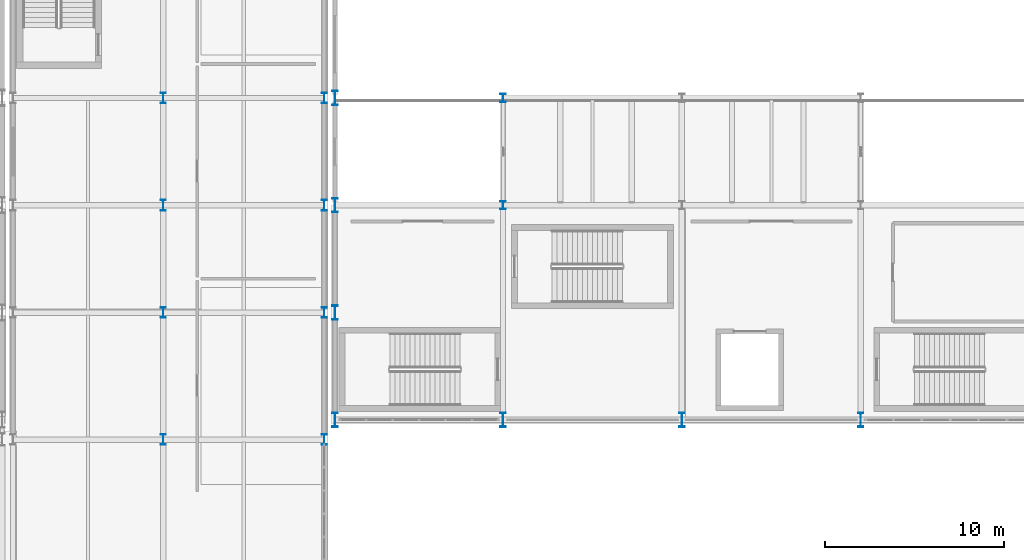
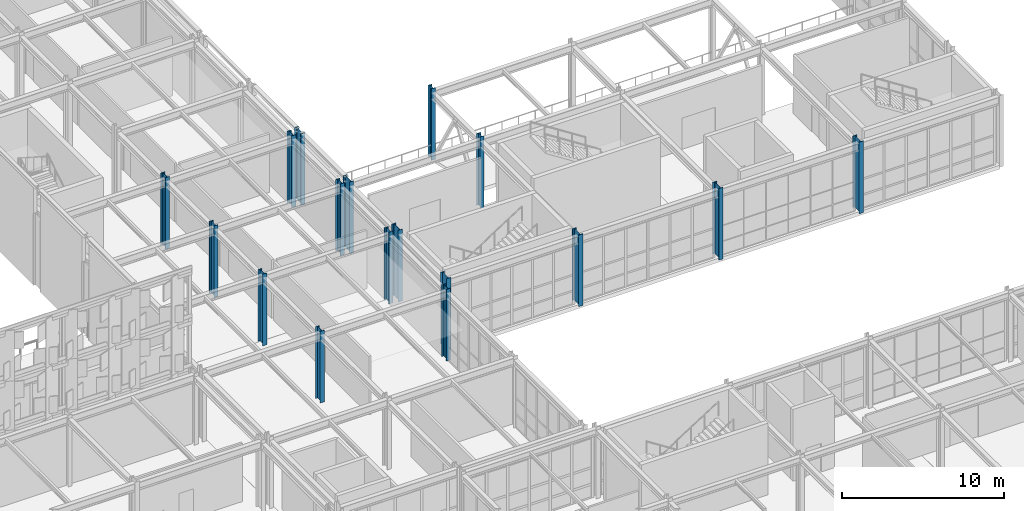
# One storey, part 15 of 210: 17 columns.
"""IFC4 building model written with IfcOpenShell, lengths in metres."""

import ifcopenshell
import ifcopenshell.guid

model = None  # the IFC model being written
_history = None  # IfcOwnerHistory: only IFC2X3 demands one
_inside = {}  # id of a spatial element -> (the spatial element, [elements in it])
_under = {}  # id of a project, library or spatial element -> (it, [spatial elements below it])
_declared = {}  # id of a project -> (the project, [libraries it declares])
_typed = {}  # id of a type object -> (the type object, [elements of that type])
_made_of = {}  # id of a material, layer set ... -> (it, [elements and type objects made of it])


def new_model(schema):
    """Start an empty IFC model of exactly this schema.

    Asked for "IFC4X3", IfcOpenShell would pick the latest addendum, in which some entities
    have other attributes; the version numbers below select the first issue.
    IFC2X3 requires an IfcOwnerHistory on every rooted entity: one is made here for all.
    """
    global model, _history
    if schema == "IFC4X3":
        model = ifcopenshell.file(schema_version=(4, 3, 0, 0))
    else:
        model = ifcopenshell.file(schema=schema)
    _inside.clear()
    _under.clear()
    _declared.clear()
    _typed.clear()
    _made_of.clear()
    _history = None
    if model.schema == "IFC2X3":
        org = make("IfcOrganization", Name="unknown")
        user = make(
            "IfcPersonAndOrganization",
            ThePerson=make("IfcPerson", FamilyName="unknown"),
            TheOrganization=org,
        )
        app = make(
            "IfcApplication",
            ApplicationDeveloper=org,
            Version="unknown",
            ApplicationFullName="unknown",
            ApplicationIdentifier="unknown",
        )
        _history = make(
            "IfcOwnerHistory",
            OwningUser=user,
            OwningApplication=app,
            ChangeAction="ADDED",
            CreationDate=0,
        )
    return model


def make(cls, **values):
    """One entity of the class cls with the attributes given. An attribute that is None is left unset."""
    return model.create_entity(
        cls, **{name: value for name, value in values.items() if value is not None}
    )


def rooted(cls, **values):
    """An entity with a GlobalId (a new one), such as an element, a storey or a relation."""
    return make(cls, GlobalId=ifcopenshell.guid.new(), OwnerHistory=_history, **values)


def si_unit(unit_type, name, prefix=None):
    """IfcSIUnit, for example si_unit("LENGTHUNIT", "METRE", prefix="MILLI")."""
    return make("IfcSIUnit", UnitType=unit_type, Prefix=prefix, Name=name)


def assignment(units):
    """IfcUnitAssignment: the units of a project."""
    return None if units is None else make("IfcUnitAssignment", Units=units)


def point(xyz):
    """IfcCartesianPoint."""
    return None if xyz is None else make("IfcCartesianPoint", Coordinates=xyz)


def direction(xyz):
    """IfcDirection."""
    return None if xyz is None else make("IfcDirection", DirectionRatios=xyz)


def frame(location, z_axis=None, x_axis=None):
    """IfcAxis2Placement3D, a coordinate frame: its origin and axes. An axis left out is left unset."""
    return make(
        "IfcAxis2Placement3D",
        Location=point(location),
        Axis=direction(z_axis),
        RefDirection=direction(x_axis),
    )


def frame_2d(location, x_axis=None):
    """IfcAxis2Placement2D, a coordinate frame in the plane: its origin and x axis."""
    return make(
        "IfcAxis2Placement2D", Location=point(location), RefDirection=direction(x_axis)
    )


def origin():
    """The frame at (0, 0, 0) with its axes left unset."""
    return frame((0.0, 0.0, 0.0))


def origin_2d():
    """The frame at (0, 0) in the plane with its x axis left unset."""
    return frame_2d((0.0, 0.0))


def place(relative_to, where):
    """IfcLocalPlacement: puts the frame where relative to a parent placement (None: the world)."""
    return make(
        "IfcLocalPlacement", PlacementRelTo=relative_to, RelativePlacement=where
    )


def context(
    kind, dimensions, precision=None, world=None, true_north=None, identifier=None
):
    """IfcGeometricRepresentationContext, for example the 3D "Model" context."""
    return make(
        "IfcGeometricRepresentationContext",
        ContextIdentifier=identifier,
        ContextType=kind,
        CoordinateSpaceDimension=dimensions,
        Precision=precision,
        WorldCoordinateSystem=world,
        TrueNorth=true_north,
    )


def subcontext(parent, identifier, kind, view, scale=None):
    """IfcGeometricRepresentationSubContext, for example "Body" below "Model"."""
    return make(
        "IfcGeometricRepresentationSubContext",
        ContextIdentifier=identifier,
        ContextType=kind,
        ParentContext=parent,
        TargetScale=scale,
        TargetView=view,
    )


def project(units=None, contexts=None):
    """IfcProject with its units and contexts."""
    return rooted(
        "IfcProject",
        Name="project",
        RepresentationContexts=contexts,
        UnitsInContext=assignment(units),
    )


def spatial(cls, under=None, at=None, **own):
    """A site, building, storey or space (cls), placed at a placement, below another one or the project."""
    s = rooted(cls, ObjectPlacement=at, **own)
    if under is not None:
        _under.setdefault(under.id(), (under, []))[1].append(s)
    return s


def profile(cls, at=None, kind="AREA", **sizes):
    """A parametric profile (cls). Its sizes go by their IFC names, for example OverallWidth=200.0."""
    return make(cls, ProfileType=kind, Position=at, **sizes)


def i_section(**sizes):
    """IfcIShapeProfileDef."""
    return profile("IfcIShapeProfileDef", **sizes)


def extrude(swept, where, along, depth):
    """IfcExtrudedAreaSolid: the profile swept, set in the frame where, extruded along a direction by depth."""
    return make(
        "IfcExtrudedAreaSolid",
        SweptArea=swept,
        Position=where,
        ExtrudedDirection=direction(along),
        Depth=depth,
    )


def shape(context_of_items, identifier, shape_type, items):
    """IfcShapeRepresentation: the items that make up one representation, for example the "Body"."""
    return make(
        "IfcShapeRepresentation",
        ContextOfItems=context_of_items,
        RepresentationIdentifier=identifier,
        RepresentationType=shape_type,
        Items=items,
    )


def material(Name=None, Category=None):
    """IfcMaterial."""
    return make("IfcMaterial", Name=Name, Category=Category)


def material_profile(
    of_material, cross_section, Name=None, Category=None, Priority=None
):
    """IfcMaterialProfile: a cross section and its material."""
    return make(
        "IfcMaterialProfile",
        Name=Name,
        Material=of_material,
        Profile=cross_section,
        Priority=Priority,
        Category=Category,
    )


def profile_set(profiles, Name=None, composite=None):
    """IfcMaterialProfileSet."""
    return make(
        "IfcMaterialProfileSet",
        Name=Name,
        MaterialProfiles=profiles,
        CompositeProfile=composite,
    )


def made_of(thing, what):
    """Note that an element or type object is made of a material, layer set ...; save() writes the relation."""
    if what is not None:
        _made_of.setdefault(what.id(), (what, []))[1].append(thing)
    return thing


def type_object(cls, material=None, **own):
    """A type object (cls), such as IfcWallType, which elements share."""
    return made_of(rooted(cls, **own), material)


def element(
    cls,
    number,
    at=None,
    inside=None,
    cuts=None,
    type_object=None,
    material=None,
    context=None,
    identifier="Body",
    shape_type=None,
    held_by="IfcProductDefinitionShape",
    body=None,
    shapes=None,
    **own,
):
    """One element of the class cls, such as IfcWall. Its Tag is "e" and its number.

    at: its placement. inside: the storey or other place that contains it. cuts: it is an
    opening in that element (IfcRelVoidsElement). A single representation is given by context,
    identifier, shape_type and body (its items); several are given by shapes. held_by: the class
    of the entity that holds the representations. save() writes the other relations.
    """
    e = rooted(cls, Tag="e%d" % number, ObjectPlacement=at, **own)
    if body is not None:
        shapes = [shape(context, identifier, shape_type, body)]
    if shapes is not None:
        e.Representation = make(held_by, Representations=shapes)
    if inside is not None:
        _inside.setdefault(inside.id(), (inside, []))[1].append(e)
    if cuts is not None:
        rooted(
            "IfcRelVoidsElement", RelatingBuildingElement=cuts, RelatedOpeningElement=e
        )
    if type_object is not None:
        _typed.setdefault(type_object.id(), (type_object, []))[1].append(e)
    return made_of(e, material)


def aggregate(whole, parts):
    """IfcRelAggregates: a whole, such as a stair, and the parts it consists of."""
    return rooted("IfcRelAggregates", RelatingObject=whole, RelatedObjects=parts)


def save(model, path):
    """Write the relations noted so far, then the file.

    IfcRelAggregates (storeys below a building ...), IfcRelContainedInSpatialStructure (elements
    in a storey), IfcRelDefinesByType, IfcRelAssociatesMaterial and IfcRelDeclares: one each for
    every whole, place, type object, material and project.
    """
    for whole, parts in _under.values():
        aggregate(whole, parts)
    for where, things in _inside.values():
        rooted(
            "IfcRelContainedInSpatialStructure",
            RelatedElements=things,
            RelatingStructure=where,
        )
    for kind, things in _typed.values():
        rooted("IfcRelDefinesByType", RelatedObjects=things, RelatingType=kind)
    for what, things in _made_of.values():
        rooted("IfcRelAssociatesMaterial", RelatedObjects=things, RelatingMaterial=what)
    for by, libraries in _declared.values():
        rooted("IfcRelDeclares", RelatingContext=by, RelatedDefinitions=libraries)
    model.write(path)


model = new_model("IFC4")

# Units and contexts
model_context = context("Model", 3, precision=1e-05, world=origin(), true_north=direction((0.0, 1.0)))
body_context = subcontext(model_context, "Body", "Model", "MODEL_VIEW")
ifc_project = project(units=[si_unit("LENGTHUNIT", "METRE"), si_unit("AREAUNIT", "SQUARE_METRE"), si_unit("VOLUMEUNIT", "CUBIC_METRE"), si_unit("PLANEANGLEUNIT", "RADIAN"), si_unit("MASSUNIT", "GRAM", prefix="KILO")], contexts=[model_context])

# Site, building, storey
site_placement = place(None, origin())
site = spatial("IfcSite", under=ifc_project, at=site_placement, CompositionType="ELEMENT")
building_placement = place(site_placement, origin())
building = spatial("IfcBuilding", under=site, at=building_placement, Name="Kaldris Quays Convention Centre", CompositionType="ELEMENT")
storey_placement = place(building_placement, frame((0.0, 0.0, 6.0)))
storey = spatial("IfcBuildingStorey", under=building, at=storey_placement, Name="L01", CompositionType="ELEMENT", Elevation=6.0)

# Columns
ifc_material = material(Name="Steel S355J2", Category="steel")
ifc_material_profile_1 = material_profile(ifc_material, i_section(OverallWidth=0.300048828125, OverallDepth=0.800048828125, WebThickness=0.017578125, FlangeThickness=0.032958984375, FilletRadius=0.030029296875, at=origin_2d()), Name="HEB 800")
ifc_profile_set_1 = profile_set([ifc_material_profile_1], Name="Steel S355J2")
column_type_1 = type_object("IfcColumnType", Name="STRUCTURAL COLUMN CL04", PredefinedType="COLUMN", material=ifc_profile_set_1)
for number, where, z_axis, x_axis, name in (
    (1, (164.60009765625, 56.0, 0.0), (0.0, 0.0, 1.0), (1.0, 0.0, 0.0), "L01 V2 Column CL04 (164.60, 56.00)"),
    (2, (164.60009765625, 62.0, 0.0), (0.0, 0.0, 1.0), (1.0, 0.0, 0.0), "L01 V2 Column CL04 (164.60, 62.00)"),
    (3, (164.60009765625, 68.0, 0.0), (0.0, 0.0, 1.0), (1.0, 0.0, 0.0), "L01 V2 Column CL04 (164.60, 68.00)"),
    (4, (164.60009765625, 74.0, 0.0), (0.0, 0.0, 1.0), (1.0, 0.0, 0.0), "L01 V2 Column CL04 (164.60, 74.00)"),
    (5, (174.0, 56.0, 0.0), (0.0, 0.0, 1.0), (1.0, 0.0, 0.0), "L01 V2 Column CL04 (174.00, 56.00)"),
    (6, (184.0, 56.0, 0.0), (0.0, 0.0, 1.0), (1.0, 0.0, 0.0), "L01 V2 Column CL04 (184.00, 56.00)"),
    (7, (194.0, 56.0, 0.0), (0.0, 0.0, 1.0), (1.0, 0.0, 0.0), "L01 V2 Column CL04 (194.00, 56.00)"),
):
    element("IfcColumn", number, at=place(storey_placement, frame(where, z_axis=z_axis, x_axis=x_axis)), inside=storey, type_object=column_type_1, Name=name, PredefinedType="COLUMN", context=body_context, shape_type="SweptSolid", body=[
        extrude(i_section(OverallWidth=0.300048828125, OverallDepth=0.800048828125, WebThickness=0.017578125, FlangeThickness=0.032958984375, FilletRadius=0.030029296875, at=origin_2d()), origin(), (0.0, 0.0, 1.0), 5.39990234375),
    ])
ifc_material_profile_2 = material_profile(ifc_material, i_section(OverallWidth=0.300048828125, OverallDepth=0.60009765625, WebThickness=0.015380859375, FlangeThickness=0.030029296875, FilletRadius=0.027099609375, at=origin_2d()), Name="HEB 600")
ifc_profile_set_2 = profile_set([ifc_material_profile_2], Name="Steel S355J2")
column_type_2 = type_object("IfcColumnType", Name="STRUCTURAL COLUMN CL06", PredefinedType="COLUMN", material=ifc_profile_set_2)
for number, where, z_axis, x_axis, name in (
    (8, (155.0, 54.89990234375, 0.0), (0.0, 0.0, 1.0), (1.0, 0.0, 0.0), "L01 V4 Column CL06 (155.00, 54.90)"),
    (9, (155.0, 62.0, 0.0), (0.0, 0.0, 1.0), (1.0, 0.0, 0.0), "L01 V4 Column CL06 (155.00, 62.00)"),
    (10, (155.0, 68.0, 0.0), (0.0, 0.0, 1.0), (1.0, 0.0, 0.0), "L01 V4 Column CL06 (155.00, 68.00)"),
    (11, (155.0, 74.0, 0.0), (0.0, 0.0, 1.0), (1.0, 0.0, 0.0), "L01 V4 Column CL06 (155.00, 74.00)"),
    (12, (164.0, 54.89990234375, 0.0), (0.0, 0.0, 1.0), (1.0, 0.0, 0.0), "L01 V4 Column CL06 (164.00, 54.90)"),
    (13, (164.0, 62.0, 0.0), (0.0, 0.0, 1.0), (1.0, 0.0, 0.0), "L01 V4 Column CL06 (164.00, 62.00)"),
    (14, (164.0, 68.0, 0.0), (0.0, 0.0, 1.0), (1.0, 0.0, 0.0), "L01 V4 Column CL06 (164.00, 68.00)"),
    (15, (164.0, 74.0, 0.0), (0.0, 0.0, 1.0), (1.0, 0.0, 0.0), "L01 V4 Column CL06 (164.00, 74.00)"),
):
    element("IfcColumn", number, at=place(storey_placement, frame(where, z_axis=z_axis, x_axis=x_axis)), inside=storey, type_object=column_type_2, Name=name, PredefinedType="COLUMN", context=body_context, shape_type="SweptSolid", body=[
        extrude(i_section(OverallWidth=0.300048828125, OverallDepth=0.60009765625, WebThickness=0.015380859375, FlangeThickness=0.030029296875, FilletRadius=0.027099609375, at=origin_2d()), origin(), (0.0, 0.0, 1.0), 5.39990234375),
    ])
ifc_material_profile_3 = material_profile(ifc_material, i_section(OverallWidth=0.300048828125, OverallDepth=0.449951171875, WebThickness=0.013916015625, FlangeThickness=0.02587890625, FilletRadius=0.027099609375, at=origin_2d()), Name="HEB 450")
ifc_profile_set_3 = profile_set([ifc_material_profile_3], Name="Steel S355J2")
column_type_3 = type_object("IfcColumnType", Name="STRUCTURAL COLUMN CL08", PredefinedType="COLUMN", material=ifc_profile_set_3)
for number, where, z_axis, x_axis, name in (
    (16, (174.0, 68.0, 0.0), (0.0, 0.0, 1.0), (1.0, 0.0, 0.0), "L01 V2 Column CL08 (174.00, 68.00)"),
    (17, (174.0, 74.0, 0.0), (0.0, 0.0, 1.0), (1.0, 0.0, 0.0), "L01 V2 Column CL08 (174.00, 74.00)"),
):
    element("IfcColumn", number, at=place(storey_placement, frame(where, z_axis=z_axis, x_axis=x_axis)), inside=storey, type_object=column_type_3, Name=name, PredefinedType="COLUMN", context=body_context, shape_type="SweptSolid", body=[
        extrude(i_section(OverallWidth=0.300048828125, OverallDepth=0.449951171875, WebThickness=0.013916015625, FlangeThickness=0.02587890625, FilletRadius=0.027099609375, at=origin_2d()), origin(), (0.0, 0.0, 1.0), 5.39990234375),
    ])

save(model, "model.ifc")
